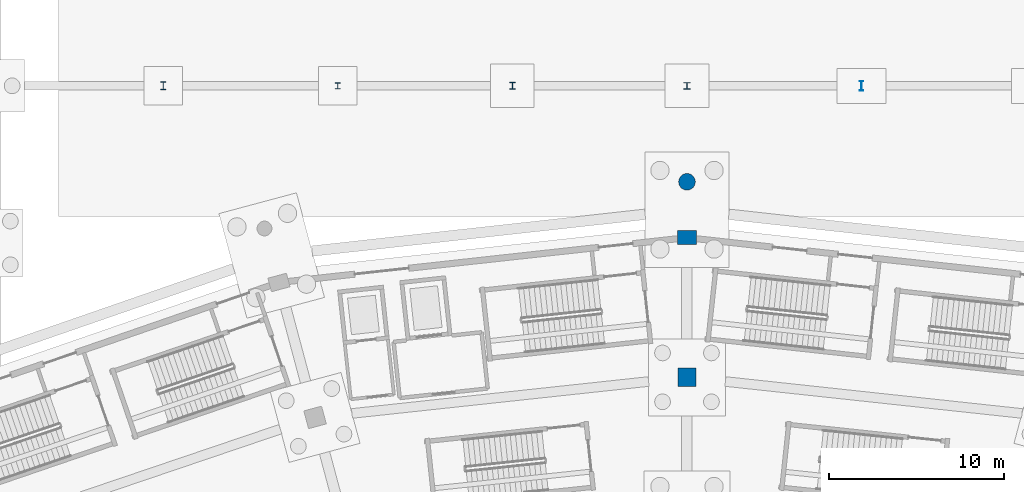
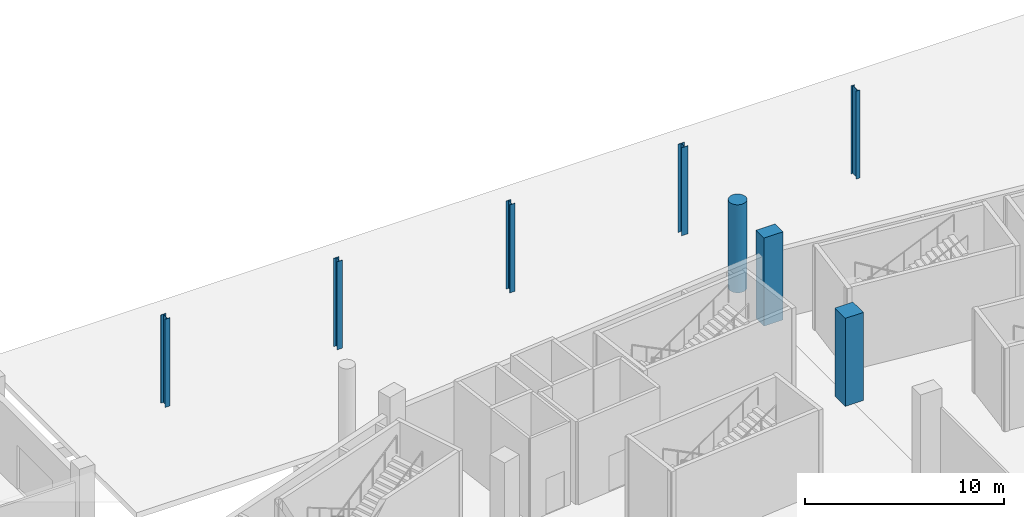
# One storey, part 23 of 103: 8 columns.
"""IFC4 building model written with IfcOpenShell, lengths in metres."""

import ifcopenshell
import ifcopenshell.guid

model = None  # the IFC model being written
_history = None  # IfcOwnerHistory: only IFC2X3 demands one
_inside = {}  # id of a spatial element -> (the spatial element, [elements in it])
_under = {}  # id of a project, library or spatial element -> (it, [spatial elements below it])
_declared = {}  # id of a project -> (the project, [libraries it declares])
_typed = {}  # id of a type object -> (the type object, [elements of that type])
_made_of = {}  # id of a material, layer set ... -> (it, [elements and type objects made of it])


def new_model(schema):
    """Start an empty IFC model of exactly this schema.

    Asked for "IFC4X3", IfcOpenShell would pick the latest addendum, in which some entities
    have other attributes; the version numbers below select the first issue.
    IFC2X3 requires an IfcOwnerHistory on every rooted entity: one is made here for all.
    """
    global model, _history
    if schema == "IFC4X3":
        model = ifcopenshell.file(schema_version=(4, 3, 0, 0))
    else:
        model = ifcopenshell.file(schema=schema)
    _inside.clear()
    _under.clear()
    _declared.clear()
    _typed.clear()
    _made_of.clear()
    _history = None
    if model.schema == "IFC2X3":
        org = make("IfcOrganization", Name="unknown")
        user = make(
            "IfcPersonAndOrganization",
            ThePerson=make("IfcPerson", FamilyName="unknown"),
            TheOrganization=org,
        )
        app = make(
            "IfcApplication",
            ApplicationDeveloper=org,
            Version="unknown",
            ApplicationFullName="unknown",
            ApplicationIdentifier="unknown",
        )
        _history = make(
            "IfcOwnerHistory",
            OwningUser=user,
            OwningApplication=app,
            ChangeAction="ADDED",
            CreationDate=0,
        )
    return model


def make(cls, **values):
    """One entity of the class cls with the attributes given. An attribute that is None is left unset."""
    return model.create_entity(
        cls, **{name: value for name, value in values.items() if value is not None}
    )


def rooted(cls, **values):
    """An entity with a GlobalId (a new one), such as an element, a storey or a relation."""
    return make(cls, GlobalId=ifcopenshell.guid.new(), OwnerHistory=_history, **values)


def si_unit(unit_type, name, prefix=None):
    """IfcSIUnit, for example si_unit("LENGTHUNIT", "METRE", prefix="MILLI")."""
    return make("IfcSIUnit", UnitType=unit_type, Prefix=prefix, Name=name)


def assignment(units):
    """IfcUnitAssignment: the units of a project."""
    return None if units is None else make("IfcUnitAssignment", Units=units)


def point(xyz):
    """IfcCartesianPoint."""
    return None if xyz is None else make("IfcCartesianPoint", Coordinates=xyz)


def direction(xyz):
    """IfcDirection."""
    return None if xyz is None else make("IfcDirection", DirectionRatios=xyz)


def frame(location, z_axis=None, x_axis=None):
    """IfcAxis2Placement3D, a coordinate frame: its origin and axes. An axis left out is left unset."""
    return make(
        "IfcAxis2Placement3D",
        Location=point(location),
        Axis=direction(z_axis),
        RefDirection=direction(x_axis),
    )


def frame_2d(location, x_axis=None):
    """IfcAxis2Placement2D, a coordinate frame in the plane: its origin and x axis."""
    return make(
        "IfcAxis2Placement2D", Location=point(location), RefDirection=direction(x_axis)
    )


def origin():
    """The frame at (0, 0, 0) with its axes left unset."""
    return frame((0.0, 0.0, 0.0))


def origin_2d():
    """The frame at (0, 0) in the plane with its x axis left unset."""
    return frame_2d((0.0, 0.0))


def place(relative_to, where):
    """IfcLocalPlacement: puts the frame where relative to a parent placement (None: the world)."""
    return make(
        "IfcLocalPlacement", PlacementRelTo=relative_to, RelativePlacement=where
    )


def context(
    kind, dimensions, precision=None, world=None, true_north=None, identifier=None
):
    """IfcGeometricRepresentationContext, for example the 3D "Model" context."""
    return make(
        "IfcGeometricRepresentationContext",
        ContextIdentifier=identifier,
        ContextType=kind,
        CoordinateSpaceDimension=dimensions,
        Precision=precision,
        WorldCoordinateSystem=world,
        TrueNorth=true_north,
    )


def subcontext(parent, identifier, kind, view, scale=None):
    """IfcGeometricRepresentationSubContext, for example "Body" below "Model"."""
    return make(
        "IfcGeometricRepresentationSubContext",
        ContextIdentifier=identifier,
        ContextType=kind,
        ParentContext=parent,
        TargetScale=scale,
        TargetView=view,
    )


def project(units=None, contexts=None):
    """IfcProject with its units and contexts."""
    return rooted(
        "IfcProject",
        Name="project",
        RepresentationContexts=contexts,
        UnitsInContext=assignment(units),
    )


def spatial(cls, under=None, at=None, **own):
    """A site, building, storey or space (cls), placed at a placement, below another one or the project."""
    s = rooted(cls, ObjectPlacement=at, **own)
    if under is not None:
        _under.setdefault(under.id(), (under, []))[1].append(s)
    return s


def profile(cls, at=None, kind="AREA", **sizes):
    """A parametric profile (cls). Its sizes go by their IFC names, for example OverallWidth=200.0."""
    return make(cls, ProfileType=kind, Position=at, **sizes)


def rectangle(**sizes):
    """IfcRectangleProfileDef."""
    return profile("IfcRectangleProfileDef", **sizes)


def circle(**sizes):
    """IfcCircleProfileDef."""
    return profile("IfcCircleProfileDef", **sizes)


def i_section(**sizes):
    """IfcIShapeProfileDef."""
    return profile("IfcIShapeProfileDef", **sizes)


def extrude(swept, where, along, depth):
    """IfcExtrudedAreaSolid: the profile swept, set in the frame where, extruded along a direction by depth."""
    return make(
        "IfcExtrudedAreaSolid",
        SweptArea=swept,
        Position=where,
        ExtrudedDirection=direction(along),
        Depth=depth,
    )


def shape(context_of_items, identifier, shape_type, items):
    """IfcShapeRepresentation: the items that make up one representation, for example the "Body"."""
    return make(
        "IfcShapeRepresentation",
        ContextOfItems=context_of_items,
        RepresentationIdentifier=identifier,
        RepresentationType=shape_type,
        Items=items,
    )


def material(Name=None, Category=None):
    """IfcMaterial."""
    return make("IfcMaterial", Name=Name, Category=Category)


def material_profile(
    of_material, cross_section, Name=None, Category=None, Priority=None
):
    """IfcMaterialProfile: a cross section and its material."""
    return make(
        "IfcMaterialProfile",
        Name=Name,
        Material=of_material,
        Profile=cross_section,
        Priority=Priority,
        Category=Category,
    )


def profile_set(profiles, Name=None, composite=None):
    """IfcMaterialProfileSet."""
    return make(
        "IfcMaterialProfileSet",
        Name=Name,
        MaterialProfiles=profiles,
        CompositeProfile=composite,
    )


def made_of(thing, what):
    """Note that an element or type object is made of a material, layer set ...; save() writes the relation."""
    if what is not None:
        _made_of.setdefault(what.id(), (what, []))[1].append(thing)
    return thing


def type_object(cls, material=None, **own):
    """A type object (cls), such as IfcWallType, which elements share."""
    return made_of(rooted(cls, **own), material)


def element(
    cls,
    number,
    at=None,
    inside=None,
    cuts=None,
    type_object=None,
    material=None,
    context=None,
    identifier="Body",
    shape_type=None,
    held_by="IfcProductDefinitionShape",
    body=None,
    shapes=None,
    **own,
):
    """One element of the class cls, such as IfcWall. Its Tag is "e" and its number.

    at: its placement. inside: the storey or other place that contains it. cuts: it is an
    opening in that element (IfcRelVoidsElement). A single representation is given by context,
    identifier, shape_type and body (its items); several are given by shapes. held_by: the class
    of the entity that holds the representations. save() writes the other relations.
    """
    e = rooted(cls, Tag="e%d" % number, ObjectPlacement=at, **own)
    if body is not None:
        shapes = [shape(context, identifier, shape_type, body)]
    if shapes is not None:
        e.Representation = make(held_by, Representations=shapes)
    if inside is not None:
        _inside.setdefault(inside.id(), (inside, []))[1].append(e)
    if cuts is not None:
        rooted(
            "IfcRelVoidsElement", RelatingBuildingElement=cuts, RelatedOpeningElement=e
        )
    if type_object is not None:
        _typed.setdefault(type_object.id(), (type_object, []))[1].append(e)
    return made_of(e, material)


def aggregate(whole, parts):
    """IfcRelAggregates: a whole, such as a stair, and the parts it consists of."""
    return rooted("IfcRelAggregates", RelatingObject=whole, RelatedObjects=parts)


def save(model, path):
    """Write the relations noted so far, then the file.

    IfcRelAggregates (storeys below a building ...), IfcRelContainedInSpatialStructure (elements
    in a storey), IfcRelDefinesByType, IfcRelAssociatesMaterial and IfcRelDeclares: one each for
    every whole, place, type object, material and project.
    """
    for whole, parts in _under.values():
        aggregate(whole, parts)
    for where, things in _inside.values():
        rooted(
            "IfcRelContainedInSpatialStructure",
            RelatedElements=things,
            RelatingStructure=where,
        )
    for kind, things in _typed.values():
        rooted("IfcRelDefinesByType", RelatedObjects=things, RelatingType=kind)
    for what, things in _made_of.values():
        rooted("IfcRelAssociatesMaterial", RelatedObjects=things, RelatingMaterial=what)
    for by, libraries in _declared.values():
        rooted("IfcRelDeclares", RelatingContext=by, RelatedDefinitions=libraries)
    model.write(path)


model = new_model("IFC4")

# Units and contexts
model_context = context("Model", 3, precision=1e-05, world=origin(), true_north=direction((0.0, 1.0)))
body_context = subcontext(model_context, "Body", "Model", "MODEL_VIEW")
ifc_project = project(units=[si_unit("LENGTHUNIT", "METRE"), si_unit("AREAUNIT", "SQUARE_METRE"), si_unit("VOLUMEUNIT", "CUBIC_METRE"), si_unit("PLANEANGLEUNIT", "RADIAN"), si_unit("MASSUNIT", "GRAM", prefix="KILO")], contexts=[model_context])

# Site, building, storey
site_placement = place(None, origin())
site = spatial("IfcSite", under=ifc_project, at=site_placement, CompositionType="ELEMENT")
building_placement = place(site_placement, origin())
building = spatial("IfcBuilding", under=site, at=building_placement, Name="Zevraka Park Crest Stadium", CompositionType="ELEMENT")
storey_placement = place(building_placement, origin())
storey = spatial("IfcBuildingStorey", under=building, at=storey_placement, Name="L00", CompositionType="ELEMENT", Elevation=0.0)

# Columns
ifc_material_1 = material(Name="Concrete C40/50", Category="concrete")
ifc_material_profile_1 = material_profile(ifc_material_1, rectangle(XDim=0.800048828125, YDim=1.10009765625, at=origin_2d()), Name="RC 1100x800")
ifc_profile_set_1 = profile_set([ifc_material_profile_1], Name="Concrete C40/50")
column_type_1 = type_object("IfcColumnType", Name="C02", PredefinedType="COLUMN", material=ifc_profile_set_1)
column_1_placement = place(storey_placement, frame((112.0, 167.300048828125, 0.0), z_axis=(0.0, 0.0, 1.0), x_axis=(0.0, 1.0, 0.0)))
element("IfcColumn", 1, at=column_1_placement, inside=storey, type_object=column_type_1, Name="Perimeter Ring Column C02 L00-D-06", PredefinedType="COLUMN", context=body_context, shape_type="SweptSolid", body=[
    extrude(rectangle(XDim=0.800048828125, YDim=1.10009765625, at=origin_2d()), origin(), (0.0, 0.0, 1.0), 5.39990234375),
])
ifc_material_2 = material(Name="Concrete C40/50", Category="concrete")
ifc_material_profile_2 = material_profile(ifc_material_2, rectangle(XDim=1.050048828125, YDim=1.050048828125, at=origin_2d()), Name="RC 1050x1050")
ifc_profile_set_2 = profile_set([ifc_material_profile_2], Name="Concrete C40/50")
column_type_2 = type_object("IfcColumnType", Name="C03", PredefinedType="COLUMN", material=ifc_profile_set_2)
column_2_placement = place(storey_placement, frame((112.0, 159.300048828125, 0.0), z_axis=(0.0, 0.0, 1.0), x_axis=(0.0, 1.0, 0.0)))
element("IfcColumn", 2, at=column_2_placement, inside=storey, type_object=column_type_2, Name="Concourse Mid Column C03 L00-C-06", PredefinedType="COLUMN", context=body_context, shape_type="SweptSolid", body=[
    extrude(rectangle(XDim=1.050048828125, YDim=1.050048828125, at=origin_2d()), origin(), (0.0, 0.0, 1.0), 5.39990234375),
])
ifc_material_3 = material(Name="Steel S355", Category="steel")
ifc_material_profile_3 = material_profile(ifc_material_3, i_section(OverallWidth=0.367919921875, OverallDepth=0.367919921875, WebThickness=0.01220703125, FlangeThickness=0.020751953125, at=origin_2d()), Name="UKC 356x368x153")
ifc_profile_set_3 = profile_set([ifc_material_profile_3], Name="Steel S355")
column_type_3 = type_object("IfcColumnType", Name="C07", PredefinedType="COLUMN", material=ifc_profile_set_3)
column_3_placement = place(storey_placement, frame((112.0, 176.0, 0.0), z_axis=(0.0, 0.0, 1.0), x_axis=(1.0, 0.0, 0.0)))
element("IfcColumn", 3, at=column_3_placement, inside=storey, type_object=column_type_3, Name="Colonnade Post C07 PAD-N4", PredefinedType="COLUMN", context=body_context, shape_type="SweptSolid", body=[
    extrude(i_section(OverallWidth=0.367919921875, OverallDepth=0.367919921875, WebThickness=0.01220703125, FlangeThickness=0.020751953125, at=origin_2d()), origin(), (0.0, 0.0, 1.0), 5.39990234375),
])
ifc_material_4 = material(Name="Steel S355", Category="steel")
ifc_material_profile_4 = material_profile(ifc_material_4, i_section(OverallWidth=0.300048828125, OverallDepth=0.449951171875, WebThickness=0.013916015625, FlangeThickness=0.02587890625, at=origin_2d()), Name="HEB 450")
ifc_profile_set_4 = profile_set([ifc_material_profile_4], Name="Steel S355")
column_type_4 = type_object("IfcColumnType", Name="C08", PredefinedType="COLUMN", material=ifc_profile_set_4)
column_4_placement = place(storey_placement, frame((82.0, 176.0, 0.0), z_axis=(0.0, 0.0, 1.0), x_axis=(1.0, 0.0, 0.0)))
element("IfcColumn", 4, at=column_4_placement, inside=storey, type_object=column_type_4, Name="Colonnade Post C08 PAD-N1", PredefinedType="COLUMN", context=body_context, shape_type="SweptSolid", body=[
    extrude(i_section(OverallWidth=0.300048828125, OverallDepth=0.449951171875, WebThickness=0.013916015625, FlangeThickness=0.02587890625, at=origin_2d()), origin(), (0.0, 0.0, 1.0), 5.39990234375),
])
ifc_material_5 = material(Name="Concrete C40/50", Category="concrete")
ifc_material_profile_5 = material_profile(ifc_material_5, circle(Radius=0.47509765625, at=origin_2d()), Name="RC D950")
ifc_profile_set_5 = profile_set([ifc_material_profile_5], Name="Concrete C40/50")
column_type_5 = type_object("IfcColumnType", Name="C12", PredefinedType="COLUMN", material=ifc_profile_set_5)
column_5_placement = place(storey_placement, frame((112.0, 170.5, 0.0), z_axis=(0.0, 0.0, 1.0), x_axis=(0.0, 1.0, 0.0)))
element("IfcColumn", 5, at=column_5_placement, inside=storey, type_object=column_type_5, Name="Arcade Cumba Column C12 L00-E-06", PredefinedType="COLUMN", context=body_context, shape_type="SweptSolid", body=[
    extrude(circle(Radius=0.47509765625, at=origin_2d()), origin(), (0.0, 0.0, 1.0), 5.39990234375),
])
ifc_material_6 = material(Name="Steel S355", Category="steel")
ifc_material_profile_6 = material_profile(ifc_material_6, i_section(OverallWidth=0.2109375, OverallDepth=0.5390625, WebThickness=0.01171875, FlangeThickness=0.018798828125, at=origin_2d()), Name="UKB 533x210x109")
ifc_profile_set_6 = profile_set([ifc_material_profile_6], Name="Steel S355")
column_type_6 = type_object("IfcColumnType", Name="C13", PredefinedType="COLUMN", material=ifc_profile_set_6)
column_6_placement = place(storey_placement, frame((122.0, 176.0, 0.0), z_axis=(0.0, 0.0, 1.0), x_axis=(1.0, 0.0, 0.0)))
element("IfcColumn", 6, at=column_6_placement, inside=storey, type_object=column_type_6, Name="Colonnade Post C13 PAD-N5", PredefinedType="COLUMN", context=body_context, shape_type="SweptSolid", body=[
    extrude(i_section(OverallWidth=0.2109375, OverallDepth=0.5390625, WebThickness=0.01171875, FlangeThickness=0.018798828125, at=origin_2d()), origin(), (0.0, 0.0, 1.0), 5.39990234375),
])
ifc_material_7 = material(Name="Steel S355", Category="steel")
ifc_material_profile_7 = material_profile(ifc_material_7, i_section(OverallWidth=0.300048828125, OverallDepth=0.360107421875, WebThickness=0.012451171875, FlangeThickness=0.0224609375, at=origin_2d()), Name="HEB 360")
ifc_profile_set_7 = profile_set([ifc_material_profile_7], Name="Steel S355")
column_type_7 = type_object("IfcColumnType", Name="C15", PredefinedType="COLUMN", material=ifc_profile_set_7)
column_7_placement = place(storey_placement, frame((92.0, 176.0, 0.0), z_axis=(0.0, 0.0, 1.0), x_axis=(1.0, 0.0, 0.0)))
element("IfcColumn", 7, at=column_7_placement, inside=storey, type_object=column_type_7, Name="Colonnade Post C15 PAD-N2", PredefinedType="COLUMN", context=body_context, shape_type="SweptSolid", body=[
    extrude(i_section(OverallWidth=0.300048828125, OverallDepth=0.360107421875, WebThickness=0.012451171875, FlangeThickness=0.0224609375, at=origin_2d()), origin(), (0.0, 0.0, 1.0), 5.39990234375),
])
ifc_material_8 = material(Name="Steel S355", Category="steel")
ifc_material_profile_8 = material_profile(ifc_material_8, i_section(OverallWidth=0.300048828125, OverallDepth=0.39990234375, WebThickness=0.013427734375, FlangeThickness=0.02392578125, at=origin_2d()), Name="HEB 400")
ifc_profile_set_8 = profile_set([ifc_material_profile_8], Name="Steel S355")
column_type_8 = type_object("IfcColumnType", Name="C16", PredefinedType="COLUMN", material=ifc_profile_set_8)
column_8_placement = place(storey_placement, frame((102.0, 176.0, 0.0), z_axis=(0.0, 0.0, 1.0), x_axis=(1.0, 0.0, 0.0)))
element("IfcColumn", 8, at=column_8_placement, inside=storey, type_object=column_type_8, Name="Colonnade Post C16 PAD-N3", PredefinedType="COLUMN", context=body_context, shape_type="SweptSolid", body=[
    extrude(i_section(OverallWidth=0.300048828125, OverallDepth=0.39990234375, WebThickness=0.013427734375, FlangeThickness=0.02392578125, at=origin_2d()), origin(), (0.0, 0.0, 1.0), 5.39990234375),
])

save(model, "model.ifc")
